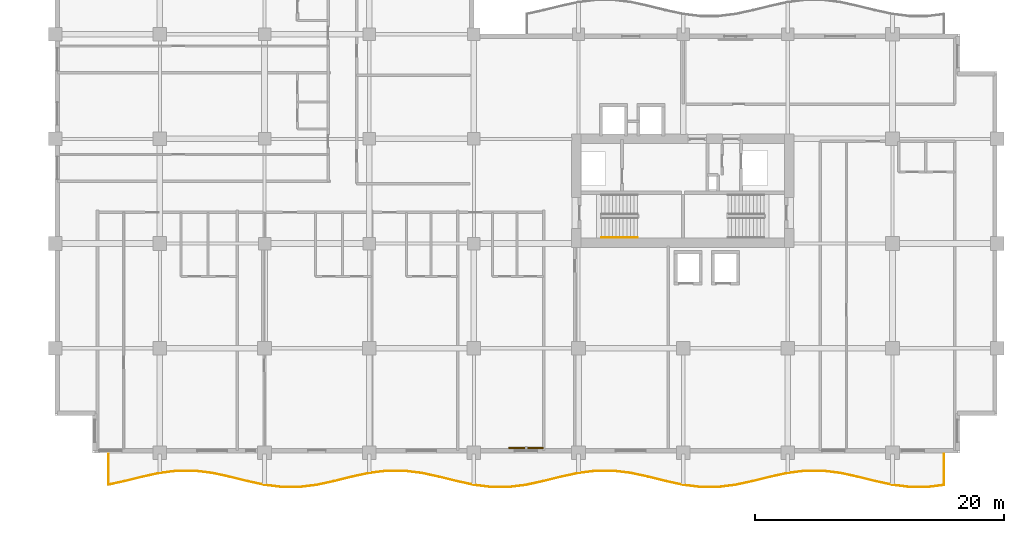
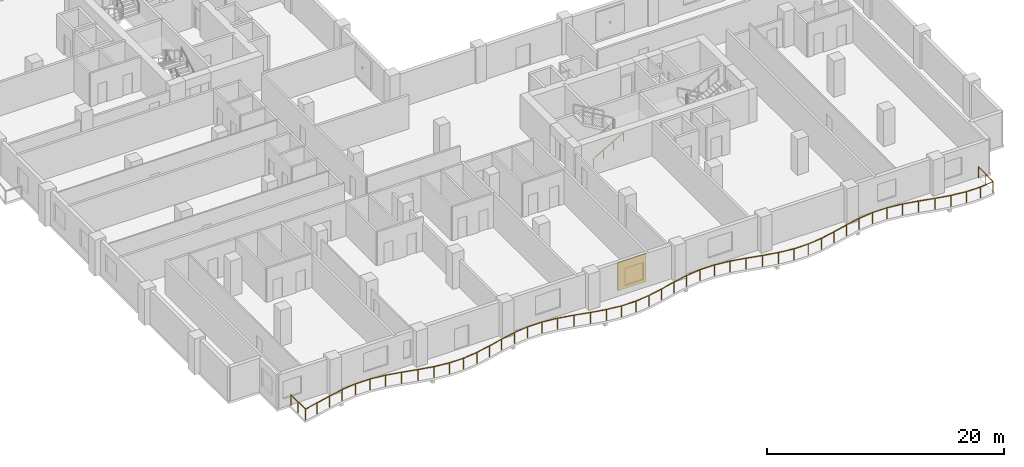
# One storey, part 13 of 16: 2 railings, 1 shading device.
"""IFC4 building model written with IfcOpenShell, lengths in metres."""

from ifc_helpers import new_model, si_unit, direction, frame, origin, origin_2d, place, context, subcontext, project, spatial, rectangle, circle, extrude, material, layer, layer_set, type_object, element, save


model = new_model("IFC4")

# Units and contexts
model_context = context("Model", 3, precision=1e-05, world=origin(), true_north=direction((0.0, 1.0)))
body_context = subcontext(model_context, "Body", "Model", "MODEL_VIEW")
ifc_project = project(units=[si_unit("LENGTHUNIT", "METRE"), si_unit("AREAUNIT", "SQUARE_METRE"), si_unit("VOLUMEUNIT", "CUBIC_METRE"), si_unit("PLANEANGLEUNIT", "RADIAN"), si_unit("MASSUNIT", "GRAM", prefix="KILO")], contexts=[model_context])

# Site, building, storey
site_placement = place(None, origin())
site = spatial("IfcSite", under=ifc_project, at=site_placement, CompositionType="ELEMENT")
building_placement = place(site_placement, origin())
building = spatial("IfcBuilding", under=site, at=building_placement, Name="Koriwani Terraces Tower", CompositionType="ELEMENT")
storey_placement = place(building_placement, frame((0.0, 0.0, 186.5)))
storey = spatial("IfcBuildingStorey", under=building, at=storey_placement, Name="L45", CompositionType="ELEMENT", Elevation=186.5)

# Railings
ifc_material_1 = material(Name="Steel ASTM A572 Grade 50", Category="steel")
railing_type_1 = type_object("IfcRailingType", Name="GUARD_BALUSTRADE_1150", PredefinedType="BALUSTRADE", material=ifc_material_1)
railing_1_placement = place(storey_placement, frame((4.280029296875, -0.080078125, 0.0)))
element("IfcRailing", 1, at=railing_1_placement, inside=storey, type_object=railing_type_1, Name="L45 Balcony Perimeter Safety Balustrade (S)", PredefinedType="BALUSTRADE", context=body_context, shape_type="SweptSolid", body=[
    extrude(circle(Radius=0.02392578125, at=origin_2d()), frame((0.0, 0.0, 1.1259765625), z_axis=(0.0, -1.0, 0.0), x_axis=(1.0, 0.0, 0.0)), (0.0, 0.0, 1.0), 2.47314453125),
    extrude(circle(Radius=0.02392578125, at=origin_2d()), frame((0.0, -2.47314453125, 1.1259765625), z_axis=(0.977409048335, 0.211356457751, 0.0), x_axis=(-0.211356457751, 0.977409048335, 0.0)), (0.0, 0.0, 1.0), 1.331787109375),
    extrude(circle(Radius=0.02392578125, at=origin_2d()), frame((1.3017578125, -2.191650390625, 1.1259765625), z_axis=(0.970251871253, 0.242097720621, 0.0), x_axis=(-0.242097720621, 0.970251871253, 0.0)), (0.0, 0.0, 1.0), 1.443115234375),
    extrude(circle(Radius=0.02392578125, at=origin_2d()), frame((2.701904296875, -1.84228515625, 1.1259765625), z_axis=(0.977453031353, 0.21115295759, 0.0), x_axis=(-0.21115295759, 0.977453031353, 0.0)), (0.0, 0.0, 1.0), 1.437255859375),
    extrude(circle(Radius=0.02392578125, at=origin_2d()), frame((4.106689453125, -1.538818359375, 1.1259765625), z_axis=(0.992320166908, 0.123695943136, 0.0), x_axis=(-0.123695943136, 0.992320166908, 0.0)), (0.0, 0.0, 1.0), 1.419189453125),
    extrude(circle(Radius=0.02392578125, at=origin_2d()), frame((5.514892578125, -1.36328125, 1.1259765625), z_axis=(1.0, 0.0, 0.0), x_axis=(0.0, 1.0, 0.0)), (0.0, 0.0, 1.0), 1.41015625),
    extrude(circle(Radius=0.02392578125, at=origin_2d()), frame((6.925048828125, -1.36328125, 1.1259765625), z_axis=(0.992320166908, -0.123695943136, 0.0), x_axis=(0.123695943136, 0.992320166908, 0.0)), (0.0, 0.0, 1.0), 1.419189453125),
    extrude(circle(Radius=0.02392578125, at=origin_2d()), frame((8.333251953125, -1.538818359375, 1.1259765625), z_axis=(0.977453031353, -0.21115295759, 0.0), x_axis=(0.21115295759, 0.977453031353, 0.0)), (0.0, 0.0, 1.0), 1.437255859375),
    extrude(circle(Radius=0.02392578125, at=origin_2d()), frame((9.738037109375, -1.84228515625, 1.1259765625), z_axis=(0.970251871253, -0.242097720621, 0.0), x_axis=(0.242097720621, 0.970251871253, 0.0)), (0.0, 0.0, 1.0), 1.443115234375),
    extrude(circle(Radius=0.02392578125, at=origin_2d()), frame((11.13818359375, -2.191650390625, 1.1259765625), z_axis=(0.977402706702, -0.211385782237, 0.0), x_axis=(0.211385782237, 0.977402706702, 0.0)), (0.0, 0.0, 1.0), 1.427490234375),
    extrude(circle(Radius=0.02392578125, at=origin_2d()), frame((12.533447265625, -2.493408203125, 1.1259765625), z_axis=(0.992309982997, -0.123777613669, 0.0), x_axis=(0.123777613669, 0.992309982997, 0.0)), (0.0, 0.0, 1.0), 1.40234375),
    extrude(circle(Radius=0.02392578125, at=origin_2d()), frame((13.925048828125, -2.6669921875, 1.1259765625), z_axis=(1.0, 0.0, 0.0), x_axis=(0.0, 1.0, 0.0)), (0.0, 0.0, 1.0), 1.389892578125),
    extrude(circle(Radius=0.02392578125, at=origin_2d()), frame((15.31494140625, -2.6669921875, 1.1259765625), z_axis=(0.992309982997, 0.123777613669, 0.0), x_axis=(-0.123777613669, 0.992309982997, 0.0)), (0.0, 0.0, 1.0), 1.40234375),
    extrude(circle(Radius=0.02392578125, at=origin_2d()), frame((16.70654296875, -2.493408203125, 1.1259765625), z_axis=(0.977402706702, 0.211385782237, 0.0), x_axis=(-0.211385782237, 0.977402706702, 0.0)), (0.0, 0.0, 1.0), 1.427490234375),
    extrude(circle(Radius=0.02392578125, at=origin_2d()), frame((18.101806640625, -2.191650390625, 1.1259765625), z_axis=(0.970251871253, 0.242097720621, 0.0), x_axis=(-0.242097720621, 0.970251871253, 0.0)), (0.0, 0.0, 1.0), 1.443115234375),
    extrude(circle(Radius=0.02392578125, at=origin_2d()), frame((19.501953125, -1.84228515625, 1.1259765625), z_axis=(0.977445455552, 0.211188023857, 0.0), x_axis=(-0.211188023857, 0.977445455552, 0.0)), (0.0, 0.0, 1.0), 1.43701171875),
    extrude(circle(Radius=0.02392578125, at=origin_2d()), frame((20.906494140625, -1.538818359375, 1.1259765625), z_axis=(0.992322798546, 0.123674829633, 0.0), x_axis=(-0.123674829633, 0.992322798546, 0.0)), (0.0, 0.0, 1.0), 1.41943359375),
    extrude(circle(Radius=0.02392578125, at=origin_2d()), frame((22.31494140625, -1.36328125, 1.1259765625), z_axis=(1.0, 0.0, 0.0), x_axis=(0.0, 1.0, 0.0)), (0.0, 0.0, 1.0), 1.409912109375),
    extrude(circle(Radius=0.02392578125, at=origin_2d()), frame((23.724853515625, -1.36328125, 1.1259765625), z_axis=(0.992322798546, -0.123674829633, 0.0), x_axis=(0.123674829633, 0.992322798546, 0.0)), (0.0, 0.0, 1.0), 1.41943359375),
    extrude(circle(Radius=0.02392578125, at=origin_2d()), frame((25.13330078125, -1.538818359375, 1.1259765625), z_axis=(0.977453031353, -0.21115295759, 0.0), x_axis=(0.21115295759, 0.977453031353, 0.0)), (0.0, 0.0, 1.0), 1.437255859375),
    extrude(circle(Radius=0.02392578125, at=origin_2d()), frame((26.5380859375, -1.84228515625, 1.1259765625), z_axis=(0.970241952903, -0.242137466795, 0.0), x_axis=(0.242137466795, 0.970241952903, 0.0)), (0.0, 0.0, 1.0), 1.44287109375),
    extrude(circle(Radius=0.02392578125, at=origin_2d()), frame((27.93798828125, -2.191650390625, 1.1259765625), z_axis=(0.977402706702, -0.211385782237, 0.0), x_axis=(0.211385782237, 0.977402706702, 0.0)), (0.0, 0.0, 1.0), 1.427490234375),
    extrude(circle(Radius=0.02392578125, at=origin_2d()), frame((29.333251953125, -2.493408203125, 1.1259765625), z_axis=(0.992309982997, -0.123777613669, 0.0), x_axis=(0.123777613669, 0.992309982997, 0.0)), (0.0, 0.0, 1.0), 1.40234375),
    extrude(circle(Radius=0.02392578125, at=origin_2d()), frame((30.724853515625, -2.6669921875, 1.1259765625), z_axis=(1.0, 0.0, 0.0), x_axis=(0.0, 1.0, 0.0)), (0.0, 0.0, 1.0), 1.39013671875),
    extrude(circle(Radius=0.02392578125, at=origin_2d()), frame((32.114990234375, -2.6669921875, 1.1259765625), z_axis=(0.992309982997, 0.123777613669, 0.0), x_axis=(-0.123777613669, 0.992309982997, 0.0)), (0.0, 0.0, 1.0), 1.40234375),
    extrude(circle(Radius=0.02392578125, at=origin_2d()), frame((33.506591796875, -2.493408203125, 1.1259765625), z_axis=(0.977402706702, 0.211385782237, 0.0), x_axis=(-0.211385782237, 0.977402706702, 0.0)), (0.0, 0.0, 1.0), 1.427490234375),
    extrude(circle(Radius=0.02392578125, at=origin_2d()), frame((34.90185546875, -2.191650390625, 1.1259765625), z_axis=(0.970241952903, 0.242137466795, 0.0), x_axis=(-0.242137466795, 0.970241952903, 0.0)), (0.0, 0.0, 1.0), 1.44287109375),
    extrude(circle(Radius=0.02392578125, at=origin_2d()), frame((36.3017578125, -1.84228515625, 1.1259765625), z_axis=(0.977453031353, 0.21115295759, 0.0), x_axis=(-0.21115295759, 0.977453031353, 0.0)), (0.0, 0.0, 1.0), 1.437255859375),
    extrude(circle(Radius=0.02392578125, at=origin_2d()), frame((37.70654296875, -1.538818359375, 1.1259765625), z_axis=(0.992322798546, 0.123674829633, 0.0), x_axis=(-0.123674829633, 0.992322798546, 0.0)), (0.0, 0.0, 1.0), 1.41943359375),
    extrude(circle(Radius=0.02392578125, at=origin_2d()), frame((39.114990234375, -1.36328125, 1.1259765625), z_axis=(1.0, 0.0, 0.0), x_axis=(0.0, 1.0, 0.0)), (0.0, 0.0, 1.0), 1.409912109375),
    extrude(circle(Radius=0.02392578125, at=origin_2d()), frame((40.52490234375, -1.36328125, 1.1259765625), z_axis=(0.992322798546, -0.123674829633, 0.0), x_axis=(0.123674829633, 0.992322798546, 0.0)), (0.0, 0.0, 1.0), 1.41943359375),
    extrude(circle(Radius=0.02392578125, at=origin_2d()), frame((41.933349609375, -1.538818359375, 1.1259765625), z_axis=(0.977453031353, -0.21115295759, 0.0), x_axis=(0.21115295759, 0.977453031353, 0.0)), (0.0, 0.0, 1.0), 1.437255859375),
    extrude(circle(Radius=0.02392578125, at=origin_2d()), frame((43.338134765625, -1.84228515625, 1.1259765625), z_axis=(0.970241952903, -0.242137466795, 0.0), x_axis=(0.242137466795, 0.970241952903, 0.0)), (0.0, 0.0, 1.0), 1.44287109375),
    extrude(circle(Radius=0.02392578125, at=origin_2d()), frame((44.738037109375, -2.191650390625, 1.1259765625), z_axis=(0.977402706702, -0.211385782237, 0.0), x_axis=(0.211385782237, 0.977402706702, 0.0)), (0.0, 0.0, 1.0), 1.427490234375),
    extrude(circle(Radius=0.02392578125, at=origin_2d()), frame((46.13330078125, -2.493408203125, 1.1259765625), z_axis=(0.992309982997, -0.123777613669, 0.0), x_axis=(0.123777613669, 0.992309982997, 0.0)), (0.0, 0.0, 1.0), 1.40234375),
    extrude(circle(Radius=0.02392578125, at=origin_2d()), frame((47.52490234375, -2.6669921875, 1.1259765625), z_axis=(1.0, 0.0, 0.0), x_axis=(0.0, 1.0, 0.0)), (0.0, 0.0, 1.0), 1.39013671875),
    extrude(circle(Radius=0.02392578125, at=origin_2d()), frame((48.9150390625, -2.6669921875, 1.1259765625), z_axis=(0.992309982997, 0.123777613669, 0.0), x_axis=(-0.123777613669, 0.992309982997, 0.0)), (0.0, 0.0, 1.0), 1.40234375),
    extrude(circle(Radius=0.02392578125, at=origin_2d()), frame((50.306640625, -2.493408203125, 1.1259765625), z_axis=(0.977402706702, 0.211385782237, 0.0), x_axis=(-0.211385782237, 0.977402706702, 0.0)), (0.0, 0.0, 1.0), 1.427490234375),
    extrude(circle(Radius=0.02392578125, at=origin_2d()), frame((51.701904296875, -2.191650390625, 1.1259765625), z_axis=(0.970241952903, 0.242137466795, 0.0), x_axis=(-0.242137466795, 0.970241952903, 0.0)), (0.0, 0.0, 1.0), 1.44287109375),
    extrude(circle(Radius=0.02392578125, at=origin_2d()), frame((53.101806640625, -1.84228515625, 1.1259765625), z_axis=(0.977453031353, 0.21115295759, 0.0), x_axis=(-0.21115295759, 0.977453031353, 0.0)), (0.0, 0.0, 1.0), 1.437255859375),
    extrude(circle(Radius=0.02392578125, at=origin_2d()), frame((54.506591796875, -1.538818359375, 1.1259765625), z_axis=(0.992322798546, 0.123674829633, 0.0), x_axis=(-0.123674829633, 0.992322798546, 0.0)), (0.0, 0.0, 1.0), 1.41943359375),
    extrude(circle(Radius=0.02392578125, at=origin_2d()), frame((55.9150390625, -1.36328125, 1.1259765625), z_axis=(1.0, 0.0, 0.0), x_axis=(0.0, 1.0, 0.0)), (0.0, 0.0, 1.0), 1.409912109375),
    extrude(circle(Radius=0.02392578125, at=origin_2d()), frame((57.324951171875, -1.36328125, 1.1259765625), z_axis=(0.992322798546, -0.123674829633, 0.0), x_axis=(0.123674829633, 0.992322798546, 0.0)), (0.0, 0.0, 1.0), 1.41943359375),
    extrude(circle(Radius=0.02392578125, at=origin_2d()), frame((58.7333984375, -1.538818359375, 1.1259765625), z_axis=(0.977453031353, -0.21115295759, 0.0), x_axis=(0.21115295759, 0.977453031353, 0.0)), (0.0, 0.0, 1.0), 1.437255859375),
    extrude(circle(Radius=0.02392578125, at=origin_2d()), frame((60.13818359375, -1.84228515625, 1.1259765625), z_axis=(0.970241952903, -0.242137466795, 0.0), x_axis=(0.242137466795, 0.970241952903, 0.0)), (0.0, 0.0, 1.0), 1.44287109375),
    extrude(circle(Radius=0.02392578125, at=origin_2d()), frame((61.5380859375, -2.191650390625, 1.1259765625), z_axis=(0.977402706702, -0.211385782237, 0.0), x_axis=(0.211385782237, 0.977402706702, 0.0)), (0.0, 0.0, 1.0), 1.427490234375),
    extrude(circle(Radius=0.02392578125, at=origin_2d()), frame((62.933349609375, -2.493408203125, 1.1259765625), z_axis=(0.992309982997, -0.123777613669, 0.0), x_axis=(0.123777613669, 0.992309982997, 0.0)), (0.0, 0.0, 1.0), 1.40234375),
    extrude(circle(Radius=0.02392578125, at=origin_2d()), frame((64.324951171875, -2.6669921875, 1.1259765625), z_axis=(1.0, 0.0, 0.0), x_axis=(0.0, 1.0, 0.0)), (0.0, 0.0, 1.0), 1.39013671875),
    extrude(circle(Radius=0.02392578125, at=origin_2d()), frame((65.715087890625, -2.6669921875, 1.1259765625), z_axis=(0.992308789115, 0.123787184491, 0.0), x_axis=(-0.123787184491, 0.992308789115, 0.0)), (0.0, 0.0, 1.0), 1.335205078125),
    extrude(circle(Radius=0.02392578125, at=origin_2d()), frame((67.0400390625, -2.501708984375, 1.1259765625), z_axis=(0.0, 1.0, 0.0), x_axis=(-1.0, 0.0, 0.0)), (0.0, 0.0, 1.0), 2.501708984375),
    extrude(circle(Radius=0.02099609375, at=origin_2d()), origin(), (0.0, 0.0, 1.0), 1.101806640625),
    extrude(circle(Radius=0.02099609375, at=origin_2d()), frame((0.0, -1.236572265625, 0.0)), (0.0, 0.0, 1.0), 1.101806640625),
    extrude(circle(Radius=0.02099609375, at=origin_2d()), frame((0.0, -2.47314453125, 0.0)), (0.0, 0.0, 1.0), 1.101806640625),
    extrude(circle(Radius=0.02099609375, at=origin_2d()), frame((1.3017578125, -2.191650390625, 0.0)), (0.0, 0.0, 1.0), 1.101806640625),
    extrude(circle(Radius=0.02099609375, at=origin_2d()), frame((2.701904296875, -1.84228515625, 0.0)), (0.0, 0.0, 1.0), 1.101806640625),
    extrude(circle(Radius=0.02099609375, at=origin_2d()), frame((4.106689453125, -1.538818359375, 0.0)), (0.0, 0.0, 1.0), 1.101806640625),
    extrude(circle(Radius=0.02099609375, at=origin_2d()), frame((5.514892578125, -1.36328125, 0.0)), (0.0, 0.0, 1.0), 1.101806640625),
    extrude(circle(Radius=0.02099609375, at=origin_2d()), frame((6.925048828125, -1.36328125, 0.0)), (0.0, 0.0, 1.0), 1.101806640625),
    extrude(circle(Radius=0.02099609375, at=origin_2d()), frame((8.333251953125, -1.538818359375, 0.0)), (0.0, 0.0, 1.0), 1.101806640625),
    extrude(circle(Radius=0.02099609375, at=origin_2d()), frame((9.738037109375, -1.84228515625, 0.0)), (0.0, 0.0, 1.0), 1.101806640625),
    extrude(circle(Radius=0.02099609375, at=origin_2d()), frame((11.13818359375, -2.191650390625, 0.0)), (0.0, 0.0, 1.0), 1.101806640625),
    extrude(circle(Radius=0.02099609375, at=origin_2d()), frame((12.533447265625, -2.493408203125, 0.0)), (0.0, 0.0, 1.0), 1.101806640625),
    extrude(circle(Radius=0.02099609375, at=origin_2d()), frame((13.925048828125, -2.6669921875, 0.0)), (0.0, 0.0, 1.0), 1.101806640625),
    extrude(circle(Radius=0.02099609375, at=origin_2d()), frame((15.31494140625, -2.6669921875, 0.0)), (0.0, 0.0, 1.0), 1.101806640625),
    extrude(circle(Radius=0.02099609375, at=origin_2d()), frame((16.70654296875, -2.493408203125, 0.0)), (0.0, 0.0, 1.0), 1.101806640625),
    extrude(circle(Radius=0.02099609375, at=origin_2d()), frame((18.101806640625, -2.191650390625, 0.0)), (0.0, 0.0, 1.0), 1.101806640625),
    extrude(circle(Radius=0.02099609375, at=origin_2d()), frame((19.501953125, -1.84228515625, 0.0)), (0.0, 0.0, 1.0), 1.101806640625),
    extrude(circle(Radius=0.02099609375, at=origin_2d()), frame((20.906494140625, -1.538818359375, 0.0)), (0.0, 0.0, 1.0), 1.101806640625),
    extrude(circle(Radius=0.02099609375, at=origin_2d()), frame((22.31494140625, -1.36328125, 0.0)), (0.0, 0.0, 1.0), 1.101806640625),
    extrude(circle(Radius=0.02099609375, at=origin_2d()), frame((23.724853515625, -1.36328125, 0.0)), (0.0, 0.0, 1.0), 1.101806640625),
    extrude(circle(Radius=0.02099609375, at=origin_2d()), frame((25.13330078125, -1.538818359375, 0.0)), (0.0, 0.0, 1.0), 1.101806640625),
    extrude(circle(Radius=0.02099609375, at=origin_2d()), frame((26.5380859375, -1.84228515625, 0.0)), (0.0, 0.0, 1.0), 1.101806640625),
    extrude(circle(Radius=0.02099609375, at=origin_2d()), frame((27.93798828125, -2.191650390625, 0.0)), (0.0, 0.0, 1.0), 1.101806640625),
    extrude(circle(Radius=0.02099609375, at=origin_2d()), frame((29.333251953125, -2.493408203125, 0.0)), (0.0, 0.0, 1.0), 1.101806640625),
    extrude(circle(Radius=0.02099609375, at=origin_2d()), frame((30.724853515625, -2.6669921875, 0.0)), (0.0, 0.0, 1.0), 1.101806640625),
    extrude(circle(Radius=0.02099609375, at=origin_2d()), frame((32.114990234375, -2.6669921875, 0.0)), (0.0, 0.0, 1.0), 1.101806640625),
    extrude(circle(Radius=0.02099609375, at=origin_2d()), frame((33.506591796875, -2.493408203125, 0.0)), (0.0, 0.0, 1.0), 1.101806640625),
    extrude(circle(Radius=0.02099609375, at=origin_2d()), frame((34.90185546875, -2.191650390625, 0.0)), (0.0, 0.0, 1.0), 1.101806640625),
    extrude(circle(Radius=0.02099609375, at=origin_2d()), frame((36.3017578125, -1.84228515625, 0.0)), (0.0, 0.0, 1.0), 1.101806640625),
    extrude(circle(Radius=0.02099609375, at=origin_2d()), frame((37.70654296875, -1.538818359375, 0.0)), (0.0, 0.0, 1.0), 1.101806640625),
    extrude(circle(Radius=0.02099609375, at=origin_2d()), frame((39.114990234375, -1.36328125, 0.0)), (0.0, 0.0, 1.0), 1.101806640625),
    extrude(circle(Radius=0.02099609375, at=origin_2d()), frame((40.52490234375, -1.36328125, 0.0)), (0.0, 0.0, 1.0), 1.101806640625),
    extrude(circle(Radius=0.02099609375, at=origin_2d()), frame((41.933349609375, -1.538818359375, 0.0)), (0.0, 0.0, 1.0), 1.101806640625),
    extrude(circle(Radius=0.02099609375, at=origin_2d()), frame((43.338134765625, -1.84228515625, 0.0)), (0.0, 0.0, 1.0), 1.101806640625),
    extrude(circle(Radius=0.02099609375, at=origin_2d()), frame((44.738037109375, -2.191650390625, 0.0)), (0.0, 0.0, 1.0), 1.101806640625),
    extrude(circle(Radius=0.02099609375, at=origin_2d()), frame((46.13330078125, -2.493408203125, 0.0)), (0.0, 0.0, 1.0), 1.101806640625),
    extrude(circle(Radius=0.02099609375, at=origin_2d()), frame((47.52490234375, -2.6669921875, 0.0)), (0.0, 0.0, 1.0), 1.101806640625),
    extrude(circle(Radius=0.02099609375, at=origin_2d()), frame((48.9150390625, -2.6669921875, 0.0)), (0.0, 0.0, 1.0), 1.101806640625),
    extrude(circle(Radius=0.02099609375, at=origin_2d()), frame((50.306640625, -2.493408203125, 0.0)), (0.0, 0.0, 1.0), 1.101806640625),
    extrude(circle(Radius=0.02099609375, at=origin_2d()), frame((51.701904296875, -2.191650390625, 0.0)), (0.0, 0.0, 1.0), 1.101806640625),
    extrude(circle(Radius=0.02099609375, at=origin_2d()), frame((53.101806640625, -1.84228515625, 0.0)), (0.0, 0.0, 1.0), 1.101806640625),
    extrude(circle(Radius=0.02099609375, at=origin_2d()), frame((54.506591796875, -1.538818359375, 0.0)), (0.0, 0.0, 1.0), 1.101806640625),
    extrude(circle(Radius=0.02099609375, at=origin_2d()), frame((55.9150390625, -1.36328125, 0.0)), (0.0, 0.0, 1.0), 1.101806640625),
    extrude(circle(Radius=0.02099609375, at=origin_2d()), frame((57.324951171875, -1.36328125, 0.0)), (0.0, 0.0, 1.0), 1.101806640625),
    extrude(circle(Radius=0.02099609375, at=origin_2d()), frame((58.7333984375, -1.538818359375, 0.0)), (0.0, 0.0, 1.0), 1.101806640625),
    extrude(circle(Radius=0.02099609375, at=origin_2d()), frame((60.13818359375, -1.84228515625, 0.0)), (0.0, 0.0, 1.0), 1.101806640625),
    extrude(circle(Radius=0.02099609375, at=origin_2d()), frame((61.5380859375, -2.191650390625, 0.0)), (0.0, 0.0, 1.0), 1.101806640625),
    extrude(circle(Radius=0.02099609375, at=origin_2d()), frame((62.933349609375, -2.493408203125, 0.0)), (0.0, 0.0, 1.0), 1.101806640625),
    extrude(circle(Radius=0.02099609375, at=origin_2d()), frame((64.324951171875, -2.6669921875, 0.0)), (0.0, 0.0, 1.0), 1.101806640625),
    extrude(circle(Radius=0.02099609375, at=origin_2d()), frame((65.715087890625, -2.6669921875, 0.0)), (0.0, 0.0, 1.0), 1.101806640625),
    extrude(circle(Radius=0.02099609375, at=origin_2d()), frame((67.0400390625, -2.501708984375, 0.0)), (0.0, 0.0, 1.0), 1.101806640625),
    extrude(circle(Radius=0.02099609375, at=origin_2d()), frame((67.0400390625, -1.2509765625, 0.0)), (0.0, 0.0, 1.0), 1.101806640625),
    extrude(circle(Radius=0.02099609375, at=origin_2d()), frame((67.0400390625, 0.0, 0.0)), (0.0, 0.0, 1.0), 1.101806640625),
])
railing_type_2 = type_object("IfcRailingType", Name="HANDRAIL_STAIR_920", PredefinedType="HANDRAIL", material=ifc_material_1)
railing_2_placement = place(storey_placement, frame((43.85009765625, 17.300048828125, 0.168212890625)))
element("IfcRailing", 2, at=railing_2_placement, inside=storey, type_object=railing_type_2, Name="L45 ST-E1 stair handrail 1", PredefinedType="HANDRAIL", context=body_context, shape_type="SweptSolid", body=[
    extrude(circle(Radius=0.02392578125, at=origin_2d()), frame((0.0, 0.0, 0.8759765625), z_axis=(0.865038774852, 0.0, 0.501705010941), x_axis=(0.0, 1.0, 0.0)), (0.0, 0.0, 1.0), 3.352294921875),
    extrude(circle(Radius=0.02099609375, at=origin_2d()), origin(), (0.0, 0.0, 1.0), 0.851806640625),
    extrude(circle(Radius=0.02099609375, at=origin_2d()), frame((0.966552734375, 0.0, 0.560546875)), (0.0, 0.0, 1.0), 0.851806640625),
    extrude(circle(Radius=0.02099609375, at=origin_2d()), frame((1.933349609375, 0.0, 1.121337890625)), (0.0, 0.0, 1.0), 0.851806640625),
    extrude(circle(Radius=0.02099609375, at=origin_2d()), frame((2.89990234375, 0.0, 1.681884765625)), (0.0, 0.0, 1.0), 0.851806640625),
])

# Shading device
ifc_material_2 = material(Name="Extruded Terracotta Clay", Category="masonry")
ifc_layer = layer(ifc_material_2, 0.1201171875, Name="Extruded Terracotta Clay")
ifc_layer_set = layer_set([ifc_layer], Name="Extruded Terracotta Clay")
shading_device_type = type_object("IfcShadingDeviceType", Name="TERRACOTTA_BAGUETTE_SCREEN_2800", PredefinedType="USERDEFINED", material=ifc_layer_set)
shading_device_placement = place(storey_placement, frame((37.800048828125, 0.405029296875, 0.28515625), z_axis=(0.0, 0.0, 1.0), x_axis=(-1.0, 0.0, 0.0)))
element("IfcShadingDevice", 3, at=shading_device_placement, inside=storey, type_object=shading_device_type, Name="L45 Extruded Terracotta Baguette Screen (S-12)", ObjectType="BAGUETTE", PredefinedType="USERDEFINED", context=body_context, shape_type="SweptSolid", body=[
    extrude(rectangle(XDim=2.760009765625, YDim=0.1201171875, at=origin_2d()), origin(), (0.0, 0.0, 1.0), 2.89990234375),
])

save(model, "model.ifc")
